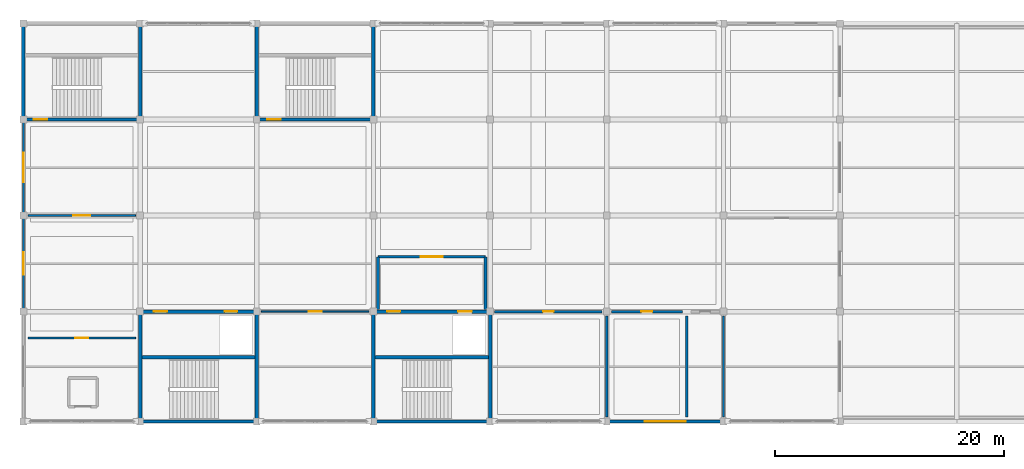
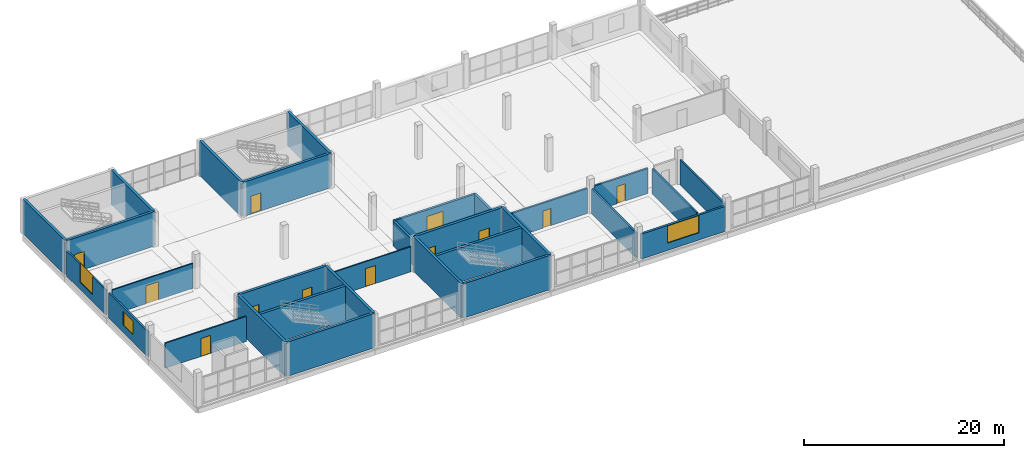
# One storey, part 19 of 24: 30 walls, 12 doors, 3 windows, 15 openings.
"""IFC4 building model written with IfcOpenShell, lengths in metres."""

from ifc_helpers import new_model, si_unit, direction, frame, frame_2d, origin, place, context, subcontext, project, spatial, rectangle, extrude, material, layer, layer_set, type_object, element, fill, save


model = new_model("IFC4")

# Units and contexts
model_context = context("Model", 3, precision=1e-05, world=origin(), true_north=direction((0.0, 1.0)))
body_context = subcontext(model_context, "Body", "Model", "MODEL_VIEW")
ifc_project = project(units=[si_unit("LENGTHUNIT", "METRE"), si_unit("AREAUNIT", "SQUARE_METRE"), si_unit("VOLUMEUNIT", "CUBIC_METRE"), si_unit("PLANEANGLEUNIT", "RADIAN"), si_unit("MASSUNIT", "GRAM", prefix="KILO")], contexts=[model_context])

# Site, building, storey
site_placement = place(None, origin())
site = spatial("IfcSite", under=ifc_project, at=site_placement, CompositionType="ELEMENT")
building_placement = place(site_placement, origin())
building = spatial("IfcBuilding", under=site, at=building_placement, Name="Brelvane Convention Centre", CompositionType="ELEMENT")
storey_placement = place(building_placement, frame((0.0, 0.0, 19.199951171875)))
storey = spatial("IfcBuildingStorey", under=building, at=storey_placement, Name="L04", CompositionType="ELEMENT", Elevation=19.199951171875)

# Wall, opening, window
ifc_material_1 = material(Name="Insulated Autoclaved Aerated Concrete Block Grade 1", Category="concrete")
ifc_layer_1 = layer(ifc_material_1, 0.239990234375)
ifc_layer_set_1 = layer_set([ifc_layer_1], Name="Insulated Autoclaved Aerated Concrete Block Grade 1")
wall_type_1 = type_object("IfcWallType", Name="Exterior Wall EW-03", PredefinedType="STANDARD", material=ifc_layer_set_1)
wall_1_placement = place(storey_placement, frame((51.239990234375, 109.199951171875, 0.0), z_axis=(0.0, 0.0, 1.0), x_axis=(1.0, 0.0, 0.0)))
wall_1 = element("IfcWall", 1, at=wall_1_placement, inside=storey, type_object=wall_type_1, Name="Exterior Wall L04 V4S-06", PredefinedType="STANDARD", context=body_context, shape_type="SweptSolid", body=[
    extrude(rectangle(XDim=9.719970703125, YDim=0.239990234375, at=frame_2d((4.85986328125, 0.0))), origin(), (0.0, 0.0, 1.0), 3.06005859375),
])
opening_1_placement = place(wall_1_placement, frame((3.06005859375, 0.0, 0.89990234375)))
opening_1 = element("IfcOpeningElement", 2, at=opening_1_placement, cuts=wall_1, Name="Opening WN-03", PredefinedType="OPENING", context=body_context, shape_type="SweptSolid", body=[
    extrude(rectangle(XDim=3.60009765625, YDim=2.10009765625, at=frame_2d((1.800048828125, 1.050048828125))), frame((0.0, 0.1298828125, 0.0), z_axis=(0.0, -1.0, 0.0), x_axis=(1.0, 0.0, 0.0)), (0.0, 0.0, 1.0), 0.260009765625),
])
ifc_material_2 = material(Name="Double Glazed Low-E Laminated Unit")
window_type_1 = type_object("IfcWindowType", Name="Window WN-03", PartitioningType="TRIPLE_PANEL_VERTICAL", PredefinedType="WINDOW", material=ifc_material_2)
window_1_placement = place(opening_1_placement, origin())
window_1 = element("IfcWindow", 3, at=window_1_placement, inside=storey, type_object=window_type_1, Name="Facade Window L04-V4S-06-058", OverallHeight=2.10009765625, OverallWidth=3.60009765625, PartitioningType="TRIPLE_PANEL_VERTICAL", PredefinedType="WINDOW", context=body_context, shape_type="SweptSolid", body=[
    extrude(rectangle(XDim=3.60009765625, YDim=2.10009765625, at=frame_2d((1.800048828125, 1.050048828125))), frame((0.0, 0.030029296875, 0.0), z_axis=(0.0, -1.0, 0.0), x_axis=(1.0, 0.0, 0.0)), (0.0, 0.0, 1.0), 0.06005859375),
])
fill(opening_1, window_1)

ifc_material_3 = material(Name="Insulated Autoclaved Aerated Concrete Block Grade 1", Category="concrete")
ifc_layer_2 = layer(ifc_material_3, 0.18994140625)
ifc_layer_set_2 = layer_set([ifc_layer_2], Name="Insulated Autoclaved Aerated Concrete Block Grade 1")
wall_type_2 = type_object("IfcWallType", Name="Exterior Wall EW-06", PredefinedType="STANDARD", material=ifc_layer_set_2)
wall_2_placement = place(storey_placement, frame((0.0, 119.0400390625, 0.0), z_axis=(0.0, 0.0, 1.0), x_axis=(0.0, 1.0, 0.0)))
wall_2 = element("IfcWall", 4, at=wall_2_placement, inside=storey, type_object=wall_type_2, Name="Exterior Wall L04 V4W-L04-118", PredefinedType="STANDARD", context=body_context, shape_type="SweptSolid", body=[
    extrude(rectangle(XDim=7.919921875, YDim=0.18994140625, at=frame_2d((3.9599609375, 0.0))), origin(), (0.0, 0.0, 1.0), 3.06005859375),
])
opening_2_placement = place(wall_2_placement, frame((2.985107421875, 0.0, 0.89990234375)))
opening_2 = element("IfcOpeningElement", 5, at=opening_2_placement, cuts=wall_2, Name="Opening WN-14", PredefinedType="OPENING", context=body_context, shape_type="SweptSolid", body=[
    extrude(rectangle(XDim=1.949951171875, YDim=1.64990234375, at=frame_2d((0.97509765625, 0.824951171875))), frame((0.0, 0.10498046875, 0.0), z_axis=(0.0, -1.0, 0.0), x_axis=(1.0, 0.0, 0.0)), (0.0, 0.0, 1.0), 0.2099609375),
])
ifc_material_4 = material(Name="Double Glazed Low-E Laminated Unit")
window_type_2 = type_object("IfcWindowType", Name="Window WN-14", PartitioningType="DOUBLE_PANEL_VERTICAL", PredefinedType="WINDOW", material=ifc_material_4)
window_2_placement = place(opening_2_placement, origin())
window_2 = element("IfcWindow", 6, at=window_2_placement, inside=storey, type_object=window_type_2, Name="Facade Window L04-V4W-L04-118-080", OverallHeight=1.64990234375, OverallWidth=1.949951171875, PartitioningType="DOUBLE_PANEL_VERTICAL", PredefinedType="WINDOW", context=body_context, shape_type="SweptSolid", body=[
    extrude(rectangle(XDim=1.949951171875, YDim=1.64990234375, at=frame_2d((0.97509765625, 0.824951171875))), frame((0.0, 0.030029296875, 0.0), z_axis=(0.0, -1.0, 0.0), x_axis=(1.0, 0.0, 0.0)), (0.0, 0.0, 1.0), 0.06005859375),
])
fill(opening_2, window_2)

wall_3_placement = place(storey_placement, frame((0.0, 127.43994140625, 0.0), z_axis=(0.0, 0.0, 1.0), x_axis=(0.0, 1.0, 0.0)))
wall_3 = element("IfcWall", 7, at=wall_3_placement, inside=storey, type_object=wall_type_2, Name="Exterior Wall L04 V4W-L04-127", PredefinedType="STANDARD", context=body_context, shape_type="SweptSolid", body=[
    extrude(rectangle(XDim=7.920166015625, YDim=0.18994140625, at=frame_2d((3.9599609375, 0.0))), origin(), (0.0, 0.0, 1.0), 3.06005859375),
])
opening_3_placement = place(wall_3_placement, frame((2.68505859375, 0.0, 0.89990234375)))
opening_3 = element("IfcOpeningElement", 8, at=opening_3_placement, cuts=wall_3, Name="Opening WN-15", PredefinedType="OPENING", context=body_context, shape_type="SweptSolid", body=[
    extrude(rectangle(XDim=2.550048828125, YDim=2.25, at=frame_2d((1.27490234375, 1.125))), frame((0.0, 0.10498046875, 0.0), z_axis=(0.0, -1.0, 0.0), x_axis=(1.0, 0.0, 0.0)), (0.0, 0.0, 1.0), 0.2099609375),
])
ifc_material_5 = material(Name="Double Glazed Low-E Laminated Unit")
window_type_3 = type_object("IfcWindowType", Name="Window WN-15", PartitioningType="DOUBLE_PANEL_VERTICAL", PredefinedType="WINDOW", material=ifc_material_5)
window_3_placement = place(opening_3_placement, origin())
window_3 = element("IfcWindow", 9, at=window_3_placement, inside=storey, type_object=window_type_3, Name="Facade Window L04-V4W-L04-127-081", OverallHeight=2.25, OverallWidth=2.550048828125, PartitioningType="DOUBLE_PANEL_VERTICAL", PredefinedType="WINDOW", context=body_context, shape_type="SweptSolid", body=[
    extrude(rectangle(XDim=2.550048828125, YDim=2.25, at=frame_2d((1.27490234375, 1.125))), frame((0.0, 0.030029296875, 0.0), z_axis=(0.0, -1.0, 0.0), x_axis=(1.0, 0.0, 0.0)), (0.0, 0.0, 1.0), 0.06005859375),
])
fill(opening_3, window_3)

# Wall, opening, door
ifc_material_6 = material(Name="Fire-Rated Acoustic Gypsum Partition Board Grade A")
ifc_layer_3 = layer(ifc_material_6, 0.14501953125)
ifc_layer_set_3 = layer_set([ifc_layer_3], Name="Fire-Rated Acoustic Gypsum Partition Board Grade A")
wall_type_3 = type_object("IfcWallType", Name="Interior Wall IW-AC-145", PredefinedType="PARTITIONING", material=ifc_layer_set_3)
wall_4_placement = place(storey_placement, frame((20.800048828125, 118.800048828125, 0.0), z_axis=(0.0, 0.0, 1.0), x_axis=(1.0, 0.0, 0.0)))
wall_4 = element("IfcWall", 10, at=wall_4_placement, inside=storey, type_object=wall_type_3, Name="Interior Partition L04-RT502", PredefinedType="PARTITIONING", context=body_context, shape_type="SweptSolid", body=[
    extrude(rectangle(XDim=9.39990234375, YDim=0.14501953125, at=frame_2d((4.699951171875, 0.0))), origin(), (0.0, 0.0, 1.0), 3.06005859375),
])
opening_4_placement = place(wall_4_placement, frame((4.125, 0.0, 0.0)))
opening_4 = element("IfcOpeningElement", 11, at=opening_4_placement, cuts=wall_4, Name="Opening DR-IN-02R", PredefinedType="OPENING", context=body_context, shape_type="SweptSolid", body=[
    extrude(rectangle(XDim=1.14990234375, YDim=2.199951171875, at=frame_2d((0.574951171875, 1.10009765625))), frame((0.0, 0.08251953125, 0.0), z_axis=(0.0, -1.0, 0.0), x_axis=(1.0, 0.0, 0.0)), (0.0, 0.0, 1.0), 0.1650390625),
])
ifc_material_7 = material(Name="Solid-Core Fire-Rated Hardwood Leaf Grade 1", Category="wood")
door_type_1 = type_object("IfcDoorType", Name="Interior Door DR-IN-02R", OperationType="NOTDEFINED", PredefinedType="DOOR", material=ifc_material_7)
door_1_placement = place(opening_4_placement, origin())
door_1 = element("IfcDoor", 12, at=door_1_placement, inside=storey, type_object=door_type_1, Name="Interior Door L04-RT502 (DR-IN-02R)", OperationType="SINGLE_SWING_RIGHT", OverallHeight=2.199951171875, OverallWidth=1.14990234375, PredefinedType="DOOR", context=body_context, shape_type="SweptSolid", body=[
    extrude(rectangle(XDim=1.14990234375, YDim=2.199951171875, at=frame_2d((0.574951171875, 1.10009765625))), frame((0.0, 0.02490234375, 0.0), z_axis=(0.0, -1.0, 0.0), x_axis=(1.0, 0.0, 0.0)), (0.0, 0.0, 1.0), 0.050048828125),
])
fill(opening_4, door_1)

ifc_material_8 = material(Name="Fire-Rated Acoustic Gypsum Partition Board Grade A")
ifc_layer_4 = layer(ifc_material_8, 0.155029296875)
ifc_layer_set_4 = layer_set([ifc_layer_4], Name="Fire-Rated Acoustic Gypsum Partition Board Grade A")
wall_type_4 = type_object("IfcWallType", Name="Interior Wall IW-AC-155", PredefinedType="PARTITIONING", material=ifc_layer_set_4)
wall_5_placement = place(storey_placement, frame((0.39990234375, 116.5, 0.0), z_axis=(0.0, 0.0, 1.0), x_axis=(1.0, 0.0, 0.0)))
wall_5 = element("IfcWall", 13, at=wall_5_placement, inside=storey, type_object=wall_type_4, Name="Interior Partition L04-MT501", PredefinedType="PARTITIONING", context=body_context, shape_type="SweptSolid", body=[
    extrude(rectangle(XDim=9.400146484375, YDim=0.155029296875, at=frame_2d((4.7001953125, 0.0))), origin(), (0.0, 0.0, 1.0), 3.06005859375),
])
opening_5_placement = place(wall_5_placement, frame((4.14990234375, 0.0, 0.0)))
opening_5 = element("IfcOpeningElement", 14, at=opening_5_placement, cuts=wall_5, Name="Opening DR-IN-02L", PredefinedType="OPENING", context=body_context, shape_type="SweptSolid", body=[
    extrude(rectangle(XDim=1.10009765625, YDim=2.199951171875, at=frame_2d((0.550048828125, 1.10009765625))), frame((0.0, 0.08740234375, 0.0), z_axis=(0.0, -1.0, 0.0), x_axis=(1.0, 0.0, 0.0)), (0.0, 0.0, 1.0), 0.175048828125),
])
ifc_material_9 = material(Name="Solid-Core Fire-Rated Hardwood Leaf Grade 1", Category="wood")
door_type_2 = type_object("IfcDoorType", Name="Interior Door DR-IN-02L", OperationType="NOTDEFINED", PredefinedType="DOOR", material=ifc_material_9)
door_2_placement = place(opening_5_placement, origin())
door_2 = element("IfcDoor", 15, at=door_2_placement, inside=storey, type_object=door_type_2, Name="Interior Door L04-MT501 (DR-IN-02L)", OperationType="SINGLE_SWING_LEFT", OverallHeight=2.199951171875, OverallWidth=1.10009765625, PredefinedType="DOOR", context=body_context, shape_type="SweptSolid", body=[
    extrude(rectangle(XDim=1.10009765625, YDim=2.199951171875, at=frame_2d((0.550048828125, 1.10009765625))), frame((0.0, 0.02490234375, 0.0), z_axis=(0.0, -1.0, 0.0), x_axis=(1.0, 0.0, 0.0)), (0.0, 0.0, 1.0), 0.050048828125),
])
fill(opening_5, door_2)

ifc_material_10 = material(Name="Fire-Rated Acoustic Gypsum Partition Board Grade A")
ifc_layer_5 = layer(ifc_material_10, 0.199951171875)
ifc_layer_set_5 = layer_set([ifc_layer_5], Name="Fire-Rated Acoustic Gypsum Partition Board Grade A")
wall_type_5 = type_object("IfcWallType", Name="Interior Wall IW-FR-200", PredefinedType="PARTITIONING", material=ifc_layer_set_5)
wall_6_placement = place(storey_placement, frame((41.199951171875, 118.800048828125, 0.0), z_axis=(0.0, 0.0, 1.0), x_axis=(1.0, 0.0, 0.0)))
wall_6 = element("IfcWall", 16, at=wall_6_placement, inside=storey, type_object=wall_type_5, Name="Interior Partition L04-WCM4", PredefinedType="PARTITIONING", context=body_context, shape_type="SweptSolid", body=[
    extrude(rectangle(XDim=9.400146484375, YDim=0.199951171875, at=frame_2d((4.7001953125, 0.0))), origin(), (0.0, 0.0, 1.0), 3.06005859375),
])
opening_6_placement = place(wall_6_placement, frame((4.239990234375, 0.0, 0.0)))
opening_6 = element("IfcOpeningElement", 17, at=opening_6_placement, cuts=wall_6, Name="Opening DR-IN-03L", PredefinedType="OPENING", context=body_context, shape_type="SweptSolid", body=[
    extrude(rectangle(XDim=0.919921875, YDim=2.10009765625, at=frame_2d((0.4599609375, 1.050048828125))), frame((0.0, 0.10986328125, 0.0), z_axis=(0.0, -1.0, 0.0), x_axis=(1.0, 0.0, 0.0)), (0.0, 0.0, 1.0), 0.219970703125),
])
ifc_material_11 = material(Name="Solid-Core Fire-Rated Hardwood Leaf Grade 1", Category="wood")
door_type_3 = type_object("IfcDoorType", Name="Interior Door DR-IN-03L", OperationType="NOTDEFINED", PredefinedType="DOOR", material=ifc_material_11)
door_3_placement = place(opening_6_placement, origin())
door_3 = element("IfcDoor", 18, at=door_3_placement, inside=storey, type_object=door_type_3, Name="Interior Door L04-WCM4 (DR-IN-03L)", OperationType="SINGLE_SWING_LEFT", OverallHeight=2.10009765625, OverallWidth=0.919921875, PredefinedType="DOOR", context=body_context, shape_type="SweptSolid", body=[
    extrude(rectangle(XDim=0.919921875, YDim=2.10009765625, at=frame_2d((0.4599609375, 1.050048828125))), frame((0.0, 0.02490234375, 0.0), z_axis=(0.0, -1.0, 0.0), x_axis=(1.0, 0.0, 0.0)), (0.0, 0.0, 1.0), 0.050048828125),
])
fill(opening_6, door_3)

wall_7_placement = place(storey_placement, frame((51.39990234375, 118.800048828125, 0.0), z_axis=(0.0, 0.0, 1.0), x_axis=(1.0, 0.0, 0.0)))
wall_7 = element("IfcWall", 19, at=wall_7_placement, inside=storey, type_object=wall_type_5, Name="Interior Partition L04-WCF4", PredefinedType="PARTITIONING", context=body_context, shape_type="SweptSolid", body=[
    extrude(rectangle(XDim=6.2001953125, YDim=0.199951171875, at=frame_2d((3.10009765625, 0.0))), origin(), (0.0, 0.0, 1.0), 3.06005859375),
])
opening_7_placement = place(wall_7_placement, frame((2.6201171875, 0.0, 0.0)))
opening_7 = element("IfcOpeningElement", 20, at=opening_7_placement, cuts=wall_7, Name="Opening DR-IN-03R", PredefinedType="OPENING", context=body_context, shape_type="SweptSolid", body=[
    extrude(rectangle(XDim=0.9599609375, YDim=2.10009765625, at=frame_2d((0.47998046875, 1.050048828125))), frame((0.0, 0.10986328125, 0.0), z_axis=(0.0, -1.0, 0.0), x_axis=(1.0, 0.0, 0.0)), (0.0, 0.0, 1.0), 0.219970703125),
])
ifc_material_12 = material(Name="Solid-Core Fire-Rated Hardwood Leaf Grade 1", Category="wood")
door_type_4 = type_object("IfcDoorType", Name="Interior Door DR-IN-03R", OperationType="NOTDEFINED", PredefinedType="DOOR", material=ifc_material_12)
door_4_placement = place(opening_7_placement, origin())
door_4 = element("IfcDoor", 21, at=door_4_placement, inside=storey, type_object=door_type_4, Name="Interior Door L04-WCF4 (DR-IN-03R)", OperationType="SINGLE_SWING_RIGHT", OverallHeight=2.10009765625, OverallWidth=0.9599609375, PredefinedType="DOOR", context=body_context, shape_type="SweptSolid", body=[
    extrude(rectangle(XDim=0.9599609375, YDim=2.10009765625, at=frame_2d((0.47998046875, 1.050048828125))), frame((0.0, 0.02490234375, 0.0), z_axis=(0.0, -1.0, 0.0), x_axis=(1.0, 0.0, 0.0)), (0.0, 0.0, 1.0), 0.050048828125),
])
fill(opening_7, door_4)

# Walls
for number, where, z_axis, x_axis, name in (
    (22, (51.0, 109.580078125, 0.0), (0.0, 0.0, 1.0), (0.0, 1.0, 0.0), "Interior Partition L04-WCDIV-L4A"),
    (23, (58.0, 109.580078125, 0.0), (0.0, 0.0, 1.0), (0.0, 1.0, 0.0), "Interior Partition L04-WCDIV-L4B"),
    (24, (61.199951171875, 109.580078125, 0.0), (0.0, 0.0, 1.0), (0.0, 1.0, 0.0), "Interior Partition L04-WCDIV-L4C"),
):
    element("IfcWall", number, at=place(storey_placement, frame(where, z_axis=z_axis, x_axis=x_axis)), inside=storey, type_object=wall_type_5, Name=name, PredefinedType="PARTITIONING", context=body_context, shape_type="SweptSolid", body=[
        extrude(rectangle(XDim=8.83984375, YDim=0.199951171875, at=frame_2d((4.419921875, 0.0))), origin(), (0.0, 0.0, 1.0), 3.06005859375),
    ])

# Wall, opening, door
ifc_material_13 = material(Name="Concrete M40", Category="concrete")
ifc_layer_6 = layer(ifc_material_13, 0.239990234375)
ifc_layer_set_6 = layer_set([ifc_layer_6], Name="Concrete M40")
wall_type_6 = type_object("IfcWallType", Name="Interior Wall IW-FR-240", PredefinedType="PARTITIONING", material=ifc_layer_set_6)
wall_8_placement = place(storey_placement, frame((31.0, 123.60009765625, 0.0), z_axis=(0.0, 0.0, 1.0), x_axis=(1.0, 0.0, 0.0)))
wall_8 = element("IfcWall", 25, at=wall_8_placement, inside=storey, type_object=wall_type_6, Name="Firefighting Lobby C7 Wall N (L04)", PredefinedType="PARTITIONING", context=body_context, shape_type="SweptSolid", body=[
    extrude(rectangle(XDim=9.39990234375, YDim=0.239990234375, at=frame_2d((4.699951171875, 0.0))), origin(), (0.0, 0.0, 1.0), 3.06005859375),
])
opening_8_placement = place(wall_8_placement, frame((3.75, 0.0, 0.0)))
opening_8 = element("IfcOpeningElement", 26, at=opening_8_placement, cuts=wall_8, Name="Opening DR-FL-01", PredefinedType="OPENING", context=body_context, shape_type="SweptSolid", body=[
    extrude(rectangle(XDim=1.89990234375, YDim=2.25, at=frame_2d((0.949951171875, 1.125))), frame((0.0, 0.1298828125, 0.0), z_axis=(0.0, -1.0, 0.0), x_axis=(1.0, 0.0, 0.0)), (0.0, 0.0, 1.0), 0.260009765625),
])
ifc_material_14 = material(Name="Galvanised Hollow-Metal Fire Door Steel E250", Category="steel")
door_type_5 = type_object("IfcDoorType", Name="Interior Door DR-FL-01", OperationType="NOTDEFINED", PredefinedType="DOOR", material=ifc_material_14)
door_5_placement = place(opening_8_placement, origin())
door_5 = element("IfcDoor", 27, at=door_5_placement, inside=storey, type_object=door_type_5, Name="Firefighting Lobby C7 Smoke Door (L04)", OperationType="DOUBLE_DOOR_SINGLE_SWING", OverallHeight=2.25, OverallWidth=1.89990234375, PredefinedType="DOOR", context=body_context, shape_type="SweptSolid", body=[
    extrude(rectangle(XDim=1.89990234375, YDim=2.25, at=frame_2d((0.949951171875, 1.125))), frame((0.0, 0.02490234375, 0.0), z_axis=(0.0, -1.0, 0.0), x_axis=(1.0, 0.0, 0.0)), (0.0, 0.0, 1.0), 0.050048828125),
])
fill(opening_8, door_5)

# Walls
for number, where, z_axis, x_axis, name in (
    (28, (40.39990234375, 119.0, 0.0), (0.0, 0.0, 1.0), (0.0, 1.0, 0.0), "Firefighting Lobby C7 Wall E (L04)"),
    (29, (31.0, 119.0, 0.0), (0.0, 0.0, 1.0), (0.0, 1.0, 0.0), "Firefighting Lobby C7 Wall W (L04)"),
):
    element("IfcWall", number, at=place(storey_placement, frame(where, z_axis=z_axis, x_axis=x_axis)), inside=storey, type_object=wall_type_6, Name=name, PredefinedType="PARTITIONING", context=body_context, shape_type="SweptSolid", body=[
        extrude(rectangle(XDim=4.60009765625, YDim=0.239990234375, at=frame_2d((2.300048828125, 0.0))), origin(), (0.0, 0.0, 1.0), 3.06005859375),
    ])

# Wall, opening, door
ifc_material_15 = material(Name="Acoustic Operable Gypsum Composite Panel Board Class A")
ifc_layer_7 = layer(ifc_material_15, 0.14990234375)
ifc_layer_set_7 = layer_set([ifc_layer_7], Name="Acoustic Operable Gypsum Composite Panel Board Class A")
wall_type_7 = type_object("IfcWallType", Name="Interior Wall IW-OP-150", PredefinedType="MOVABLE", material=ifc_layer_set_7)
wall_9_placement = place(storey_placement, frame((0.39990234375, 127.199951171875, 0.0), z_axis=(0.0, 0.0, 1.0), x_axis=(1.0, 0.0, 0.0)))
wall_9 = element("IfcWall", 30, at=wall_9_placement, inside=storey, type_object=wall_type_7, Name="Operable Wall L04-SUM-OP1", PredefinedType="MOVABLE", context=body_context, shape_type="SweptSolid", body=[
    extrude(rectangle(XDim=9.400146484375, YDim=0.14990234375, at=frame_2d((4.7001953125, 0.0))), origin(), (0.0, 0.0, 1.0), 3.06005859375),
])
opening_9_placement = place(wall_9_placement, frame((3.97509765625, 0.0, 0.0)))
opening_9 = element("IfcOpeningElement", 31, at=opening_9_placement, cuts=wall_9, Name="Opening DR-IN-15", PredefinedType="OPENING", context=body_context, shape_type="SweptSolid", body=[
    extrude(rectangle(XDim=1.449951171875, YDim=2.219970703125, at=frame_2d((0.72509765625, 1.10986328125))), frame((0.0, 0.0849609375, 0.0), z_axis=(0.0, -1.0, 0.0), x_axis=(1.0, 0.0, 0.0)), (0.0, 0.0, 1.0), 0.169921875),
])
ifc_material_16 = material(Name="Solid-Core Fire-Rated Hardwood Leaf Grade 1", Category="wood")
door_type_6 = type_object("IfcDoorType", Name="Interior Door DR-IN-15", OperationType="NOTDEFINED", PredefinedType="DOOR", material=ifc_material_16)
door_6_placement = place(opening_9_placement, origin())
door_6 = element("IfcDoor", 32, at=door_6_placement, inside=storey, type_object=door_type_6, Name="Interior Door L04-SUM-OP1 (DR-IN-15)", OperationType="DOUBLE_DOOR_SINGLE_SWING", OverallHeight=2.219970703125, OverallWidth=1.449951171875, PredefinedType="DOOR", context=body_context, shape_type="SweptSolid", body=[
    extrude(rectangle(XDim=1.449951171875, YDim=2.219970703125, at=frame_2d((0.72509765625, 1.10986328125))), frame((0.0, 0.02490234375, 0.0), z_axis=(0.0, -1.0, 0.0), x_axis=(1.0, 0.0, 0.0)), (0.0, 0.0, 1.0), 0.050048828125),
])
fill(opening_9, door_6)

# Wall
ifc_material_17 = material(Name="Concrete M50", Category="concrete")
ifc_layer_8 = layer(ifc_material_17, 0.300048828125)
ifc_layer_set_8 = layer_set([ifc_layer_8], Name="Concrete M50")
wall_type_8 = type_object("IfcWallType", Name="Structural Wall WL-CORE-300", PredefinedType="SHEAR", material=ifc_layer_set_8)
wall_10_placement = place(storey_placement, frame((10.199951171875, 109.199951171875, 0.0), z_axis=(0.0, 0.0, 1.0), x_axis=(1.0, 0.0, 0.0)))
element("IfcWall", 33, at=wall_10_placement, inside=storey, type_object=wall_type_8, Name="Core C6 Shear Wall S (L04)", PredefinedType="SHEAR", context=body_context, shape_type="SweptSolid", body=[
    extrude(rectangle(XDim=10.199951171875, YDim=0.300048828125, at=frame_2d((5.10009765625, 0.0))), origin(), (0.0, 0.0, 1.0), 4.199951171875),
])

# Wall, openings, doors
wall_11_placement = place(storey_placement, frame((10.199951171875, 118.800048828125, 0.0), z_axis=(0.0, 0.0, 1.0), x_axis=(1.0, 0.0, 0.0)))
wall_11 = element("IfcWall", 34, at=wall_11_placement, inside=storey, type_object=wall_type_8, Name="Core C6 Shear Wall N (L04)", PredefinedType="SHEAR", context=body_context, shape_type="SweptSolid", body=[
    extrude(rectangle(XDim=10.199951171875, YDim=0.300048828125, at=frame_2d((5.10009765625, 0.0))), origin(), (0.0, 0.0, 1.0), 4.199951171875),
])
opening_10_placement = place(wall_11_placement, frame((1.199951171875, 0.0, 0.0)))
opening_10 = element("IfcOpeningElement", 35, at=opening_10_placement, cuts=wall_11, Name="Opening DR-IN-04L", PredefinedType="OPENING", context=body_context, shape_type="SweptSolid", body=[
    extrude(rectangle(XDim=1.159912109375, YDim=2.199951171875, at=frame_2d((0.580078125, 1.10009765625))), frame((0.0, 0.159912109375, 0.0), z_axis=(0.0, -1.0, 0.0), x_axis=(1.0, 0.0, 0.0)), (0.0, 0.0, 1.0), 0.320068359375),
])
opening_11_placement = place(wall_11_placement, frame((7.39990234375, 0.0, 0.0)))
opening_11 = element("IfcOpeningElement", 36, at=opening_11_placement, cuts=wall_11, Name="Opening LD-02", PredefinedType="OPENING", context=body_context, shape_type="SweptSolid", body=[
    extrude(rectangle(XDim=1.10009765625, YDim=2.199951171875, at=frame_2d((0.550048828125, 1.10009765625))), frame((0.0, 0.159912109375, 0.0), z_axis=(0.0, -1.0, 0.0), x_axis=(1.0, 0.0, 0.0)), (0.0, 0.0, 1.0), 0.320068359375),
])
ifc_material_18 = material(Name="Galvanised Hollow-Metal Fire Door Steel E250", Category="steel")
door_type_7 = type_object("IfcDoorType", Name="Interior Door DR-IN-04L", OperationType="NOTDEFINED", PredefinedType="DOOR", material=ifc_material_18)
door_7_placement = place(opening_10_placement, origin())
door_7 = element("IfcDoor", 37, at=door_7_placement, inside=storey, type_object=door_type_7, Name="Stair ST-06 Door (L04)", OperationType="SINGLE_SWING_LEFT", OverallHeight=2.199951171875, OverallWidth=1.159912109375, PredefinedType="DOOR", context=body_context, shape_type="SweptSolid", body=[
    extrude(rectangle(XDim=1.159912109375, YDim=2.199951171875, at=frame_2d((0.580078125, 1.10009765625))), frame((0.0, 0.02490234375, 0.0), z_axis=(0.0, -1.0, 0.0), x_axis=(1.0, 0.0, 0.0)), (0.0, 0.0, 1.0), 0.050048828125),
])
fill(opening_10, door_7)
ifc_material_19 = material(Name="Galvanised Hollow-Metal Fire Door Steel E250", Category="steel")
door_type_8 = type_object("IfcDoorType", Name="Interior Door LD-02", OperationType="NOTDEFINED", PredefinedType="DOOR", material=ifc_material_19)
door_8_placement = place(opening_11_placement, origin())
door_8 = element("IfcDoor", 38, at=door_8_placement, inside=storey, type_object=door_type_8, Name="Lift LP-03 Landing Door (L04)", OperationType="SLIDING_TO_RIGHT", OverallHeight=2.199951171875, OverallWidth=1.10009765625, PredefinedType="DOOR", context=body_context, shape_type="SweptSolid", body=[
    extrude(rectangle(XDim=1.10009765625, YDim=2.199951171875, at=frame_2d((0.550048828125, 1.10009765625))), frame((0.0, 0.02490234375, 0.0), z_axis=(0.0, -1.0, 0.0), x_axis=(1.0, 0.0, 0.0)), (0.0, 0.0, 1.0), 0.050048828125),
])
fill(opening_11, door_8)

# Walls
for number, where, z_axis, x_axis, name in (
    (39, (10.199951171875, 109.199951171875, 0.0), (0.0, 0.0, 1.0), (0.0, 1.0, 0.0), "Core C6 Shear Wall W (L04)"),
    (40, (20.39990234375, 109.199951171875, 0.0), (0.0, 0.0, 1.0), (0.0, 1.0, 0.0), "Core C6 Shear Wall E (L04)"),
):
    element("IfcWall", number, at=place(storey_placement, frame(where, z_axis=z_axis, x_axis=x_axis)), inside=storey, type_object=wall_type_8, Name=name, PredefinedType="SHEAR", context=body_context, shape_type="SweptSolid", body=[
        extrude(rectangle(XDim=9.60009765625, YDim=0.300048828125, at=frame_2d((4.800048828125, 0.0))), origin(), (0.0, 0.0, 1.0), 4.199951171875),
    ])
wall_12_placement = place(storey_placement, frame((30.60009765625, 109.199951171875, 0.0), z_axis=(0.0, 0.0, 1.0), x_axis=(1.0, 0.0, 0.0)))
element("IfcWall", 41, at=wall_12_placement, inside=storey, type_object=wall_type_8, Name="Core C7 Shear Wall S (L04)", PredefinedType="SHEAR", context=body_context, shape_type="SweptSolid", body=[
    extrude(rectangle(XDim=10.199951171875, YDim=0.300048828125, at=frame_2d((5.10009765625, 0.0))), origin(), (0.0, 0.0, 1.0), 4.199951171875),
])

# Wall, openings, doors
wall_13_placement = place(storey_placement, frame((30.60009765625, 118.800048828125, 0.0), z_axis=(0.0, 0.0, 1.0), x_axis=(1.0, 0.0, 0.0)))
wall_13 = element("IfcWall", 42, at=wall_13_placement, inside=storey, type_object=wall_type_8, Name="Core C7 Shear Wall N (L04)", PredefinedType="SHEAR", context=body_context, shape_type="SweptSolid", body=[
    extrude(rectangle(XDim=10.199951171875, YDim=0.300048828125, at=frame_2d((5.10009765625, 0.0))), origin(), (0.0, 0.0, 1.0), 4.199951171875),
])
opening_12_placement = place(wall_13_placement, frame((1.199951171875, 0.0, 0.0)))
opening_12 = element("IfcOpeningElement", 43, at=opening_12_placement, cuts=wall_13, Name="Opening DR-IN-04L", PredefinedType="OPENING", context=body_context, shape_type="SweptSolid", body=[
    extrude(rectangle(XDim=1.159912109375, YDim=2.199951171875, at=frame_2d((0.580078125, 1.10009765625))), frame((0.0, 0.159912109375, 0.0), z_axis=(0.0, -1.0, 0.0), x_axis=(1.0, 0.0, 0.0)), (0.0, 0.0, 1.0), 0.320068359375),
])
opening_13_placement = place(wall_13_placement, frame((7.39990234375, 0.0, 0.0)))
opening_13 = element("IfcOpeningElement", 44, at=opening_13_placement, cuts=wall_13, Name="Opening LD-01", PredefinedType="OPENING", context=body_context, shape_type="SweptSolid", body=[
    extrude(rectangle(XDim=1.199951171875, YDim=2.25, at=frame_2d((0.60009765625, 1.125))), frame((0.0, 0.159912109375, 0.0), z_axis=(0.0, -1.0, 0.0), x_axis=(1.0, 0.0, 0.0)), (0.0, 0.0, 1.0), 0.320068359375),
])
door_9_placement = place(opening_12_placement, origin())
door_9 = element("IfcDoor", 45, at=door_9_placement, inside=storey, type_object=door_type_7, Name="Stair ST-07 Door (L04)", OperationType="SINGLE_SWING_LEFT", OverallHeight=2.199951171875, OverallWidth=1.159912109375, PredefinedType="DOOR", context=body_context, shape_type="SweptSolid", body=[
    extrude(rectangle(XDim=1.159912109375, YDim=2.199951171875, at=frame_2d((0.580078125, 1.10009765625))), frame((0.0, 0.02490234375, 0.0), z_axis=(0.0, -1.0, 0.0), x_axis=(1.0, 0.0, 0.0)), (0.0, 0.0, 1.0), 0.050048828125),
])
fill(opening_12, door_9)
ifc_material_20 = material(Name="Galvanised Hollow-Metal Fire Door Steel E250", Category="steel")
door_type_9 = type_object("IfcDoorType", Name="Interior Door LD-01", OperationType="NOTDEFINED", PredefinedType="DOOR", material=ifc_material_20)
door_10_placement = place(opening_13_placement, origin())
door_10 = element("IfcDoor", 46, at=door_10_placement, inside=storey, type_object=door_type_9, Name="Lift LF-04 Landing Door (L04)", OperationType="SLIDING_TO_LEFT", OverallHeight=2.25, OverallWidth=1.199951171875, PredefinedType="DOOR", context=body_context, shape_type="SweptSolid", body=[
    extrude(rectangle(XDim=1.199951171875, YDim=2.25, at=frame_2d((0.60009765625, 1.125))), frame((0.0, 0.02490234375, 0.0), z_axis=(0.0, -1.0, 0.0), x_axis=(1.0, 0.0, 0.0)), (0.0, 0.0, 1.0), 0.050048828125),
])
fill(opening_13, door_10)

# Walls
for number, where, z_axis, x_axis, name in (
    (47, (30.60009765625, 109.199951171875, 0.0), (0.0, 0.0, 1.0), (0.0, 1.0, 0.0), "Core C7 Shear Wall W (L04)"),
    (48, (40.800048828125, 109.199951171875, 0.0), (0.0, 0.0, 1.0), (0.0, 1.0, 0.0), "Core C7 Shear Wall E (L04)"),
):
    element("IfcWall", number, at=place(storey_placement, frame(where, z_axis=z_axis, x_axis=x_axis)), inside=storey, type_object=wall_type_8, Name=name, PredefinedType="SHEAR", context=body_context, shape_type="SweptSolid", body=[
        extrude(rectangle(XDim=9.60009765625, YDim=0.300048828125, at=frame_2d((4.800048828125, 0.0))), origin(), (0.0, 0.0, 1.0), 4.199951171875),
    ])
for number, where, z_axis, x_axis, name in (
    (49, (10.35009765625, 114.800048828125, 0.0), (0.0, 0.0, 1.0), (1.0, 0.0, 0.0), "Core C6 Shaft Divider Wall (L04)"),
    (50, (30.75, 114.800048828125, 0.0), (0.0, 0.0, 1.0), (1.0, 0.0, 0.0), "Core C7 Shaft Divider Wall (L04)"),
):
    element("IfcWall", number, at=place(storey_placement, frame(where, z_axis=z_axis, x_axis=x_axis)), inside=storey, type_object=wall_type_8, Name=name, PredefinedType="SHEAR", context=body_context, shape_type="SweptSolid", body=[
        extrude(rectangle(XDim=9.89990234375, YDim=0.300048828125, at=frame_2d((4.949951171875, 0.0))), origin(), (0.0, 0.0, 1.0), 4.199951171875),
    ])

# Wall, opening, door
wall_14_placement = place(storey_placement, frame((20.39990234375, 135.60009765625, 0.0), z_axis=(0.0, 0.0, 1.0), x_axis=(1.0, 0.0, 0.0)))
wall_14 = element("IfcWall", 51, at=wall_14_placement, inside=storey, type_object=wall_type_8, Name="Stair Core ST-13 Wall S (L04)", PredefinedType="SHEAR", context=body_context, shape_type="SweptSolid", body=[
    extrude(rectangle(XDim=10.2001953125, YDim=0.300048828125, at=frame_2d((5.10009765625, 0.0))), origin(), (0.0, 0.0, 1.0), 4.199951171875),
])
opening_14_placement = place(wall_14_placement, frame((0.919921875, 0.0, 0.0)))
opening_14 = element("IfcOpeningElement", 52, at=opening_14_placement, cuts=wall_14, Name="Opening DR-IN-04L", PredefinedType="OPENING", context=body_context, shape_type="SweptSolid", body=[
    extrude(rectangle(XDim=1.159912109375, YDim=2.199951171875, at=frame_2d((0.580078125, 1.10009765625))), frame((0.0, 0.159912109375, 0.0), z_axis=(0.0, -1.0, 0.0), x_axis=(1.0, 0.0, 0.0)), (0.0, 0.0, 1.0), 0.320068359375),
])
door_11_placement = place(opening_14_placement, origin())
door_11 = element("IfcDoor", 53, at=door_11_placement, inside=storey, type_object=door_type_7, Name="Stair ST-13 Entry Door (L04)", OperationType="SINGLE_SWING_LEFT", OverallHeight=2.199951171875, OverallWidth=1.159912109375, PredefinedType="DOOR", context=body_context, shape_type="SweptSolid", body=[
    extrude(rectangle(XDim=1.159912109375, YDim=2.199951171875, at=frame_2d((0.580078125, 1.10009765625))), frame((0.0, 0.02490234375, 0.0), z_axis=(0.0, -1.0, 0.0), x_axis=(1.0, 0.0, 0.0)), (0.0, 0.0, 1.0), 0.050048828125),
])
fill(opening_14, door_11)

# Walls
for number, where, z_axis, x_axis, name in (
    (54, (20.39990234375, 135.60009765625, 0.0), (0.0, 0.0, 1.0), (0.0, 1.0, 0.0), "Stair Core ST-13 Wall W (L04)"),
    (55, (30.60009765625, 135.60009765625, 0.0), (0.0, 0.0, 1.0), (0.0, 1.0, 0.0), "Stair Core ST-13 Wall E (L04)"),
):
    element("IfcWall", number, at=place(storey_placement, frame(where, z_axis=z_axis, x_axis=x_axis)), inside=storey, type_object=wall_type_8, Name=name, PredefinedType="SHEAR", context=body_context, shape_type="SweptSolid", body=[
        extrude(rectangle(XDim=8.39990234375, YDim=0.300048828125, at=frame_2d((4.199951171875, 0.0))), origin(), (0.0, 0.0, 1.0), 4.199951171875),
    ])

# Wall, opening, door
wall_15_placement = place(storey_placement, frame((0.0, 135.60009765625, 0.0), z_axis=(0.0, 0.0, 1.0), x_axis=(1.0, 0.0, 0.0)))
wall_15 = element("IfcWall", 56, at=wall_15_placement, inside=storey, type_object=wall_type_8, Name="Stair Core ST-17 Wall S (L04)", PredefinedType="SHEAR", context=body_context, shape_type="SweptSolid", body=[
    extrude(rectangle(XDim=10.199951171875, YDim=0.300048828125, at=frame_2d((5.10009765625, 0.0))), origin(), (0.0, 0.0, 1.0), 4.199951171875),
])
opening_15_placement = place(wall_15_placement, frame((0.919921875, 0.0, 0.0)))
opening_15 = element("IfcOpeningElement", 57, at=opening_15_placement, cuts=wall_15, Name="Opening DR-IN-04L", PredefinedType="OPENING", context=body_context, shape_type="SweptSolid", body=[
    extrude(rectangle(XDim=1.159912109375, YDim=2.199951171875, at=frame_2d((0.580078125, 1.10009765625))), frame((0.0, 0.159912109375, 0.0), z_axis=(0.0, -1.0, 0.0), x_axis=(1.0, 0.0, 0.0)), (0.0, 0.0, 1.0), 0.320068359375),
])
door_12_placement = place(opening_15_placement, origin())
door_12 = element("IfcDoor", 58, at=door_12_placement, inside=storey, type_object=door_type_7, Name="Stair ST-17 Entry Door (L04)", OperationType="SINGLE_SWING_LEFT", OverallHeight=2.199951171875, OverallWidth=1.159912109375, PredefinedType="DOOR", context=body_context, shape_type="SweptSolid", body=[
    extrude(rectangle(XDim=1.159912109375, YDim=2.199951171875, at=frame_2d((0.580078125, 1.10009765625))), frame((0.0, 0.02490234375, 0.0), z_axis=(0.0, -1.0, 0.0), x_axis=(1.0, 0.0, 0.0)), (0.0, 0.0, 1.0), 0.050048828125),
])
fill(opening_15, door_12)

# Walls
for number, where, z_axis, x_axis, name in (
    (59, (0.0, 135.60009765625, 0.0), (0.0, 0.0, 1.0), (0.0, 1.0, 0.0), "Stair Core ST-17 Wall W (L04)"),
    (60, (10.199951171875, 135.60009765625, 0.0), (0.0, 0.0, 1.0), (0.0, 1.0, 0.0), "Stair Core ST-17 Wall E (L04)"),
):
    element("IfcWall", number, at=place(storey_placement, frame(where, z_axis=z_axis, x_axis=x_axis)), inside=storey, type_object=wall_type_8, Name=name, PredefinedType="SHEAR", context=body_context, shape_type="SweptSolid", body=[
        extrude(rectangle(XDim=8.39990234375, YDim=0.300048828125, at=frame_2d((4.199951171875, 0.0))), origin(), (0.0, 0.0, 1.0), 4.199951171875),
    ])

save(model, "model.ifc")
